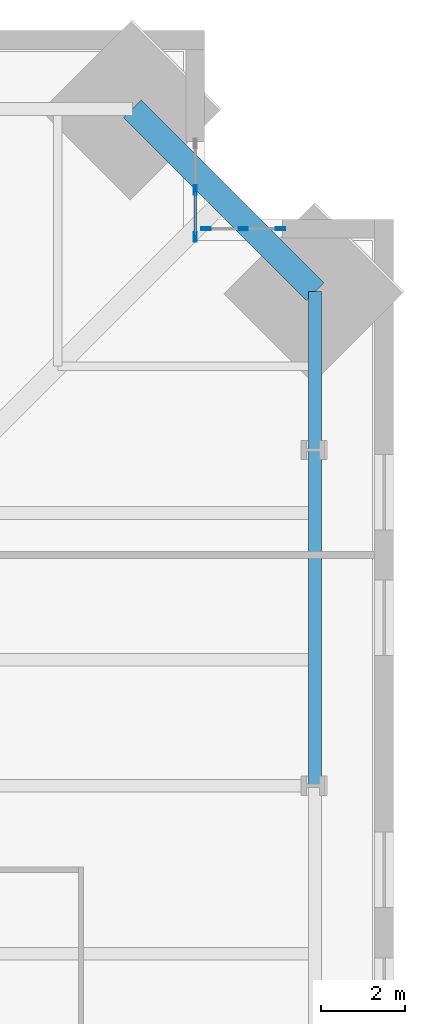
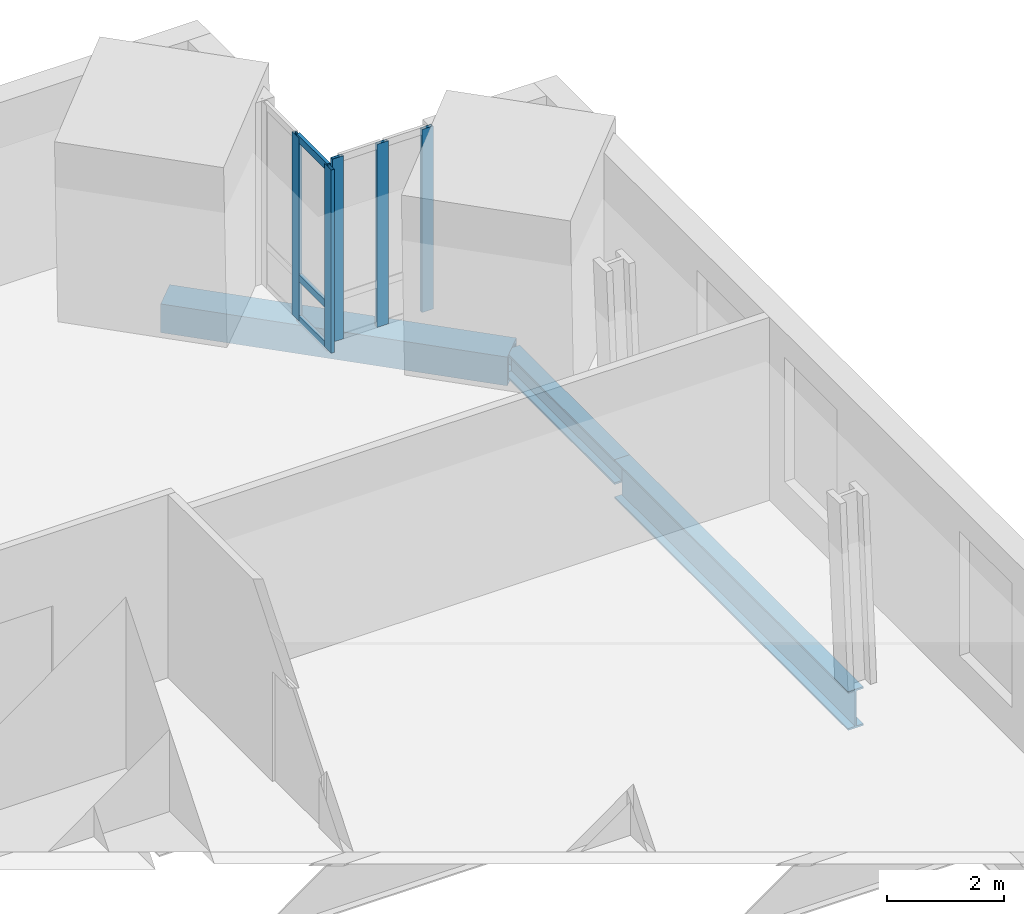
# One storey, part 10 of 18: 8 members, 3 beams, 2 elements without a shape of their own.
"""IFC4 building model written with IfcOpenShell, lengths in metres."""

from ifc_helpers import new_model, si_unit, direction, frame, origin, origin_2d, place, context, subcontext, project, spatial, hollow_rectangle, i_section, extrude, material, material_profile, profile_set, type_object, element, aggregate, save


model = new_model("IFC4")

# Units and contexts
model_context = context("Model", 3, precision=1e-05, world=origin(), true_north=direction((0.0, 1.0)))
body_context = subcontext(model_context, "Body", "Model", "MODEL_VIEW")
ifc_project = project(units=[si_unit("LENGTHUNIT", "METRE"), si_unit("AREAUNIT", "SQUARE_METRE"), si_unit("VOLUMEUNIT", "CUBIC_METRE"), si_unit("PLANEANGLEUNIT", "RADIAN"), si_unit("MASSUNIT", "GRAM", prefix="KILO")], contexts=[model_context])

# Site, building, storey
site_placement = place(None, origin())
site = spatial("IfcSite", under=ifc_project, at=site_placement, CompositionType="ELEMENT")
building_placement = place(site_placement, origin())
building = spatial("IfcBuilding", under=site, at=building_placement, Name="Peilmerk Tower", CompositionType="ELEMENT")
storey_placement = place(building_placement, frame((0.0, 0.0, 167.800048828125)))
storey = spatial("IfcBuildingStorey", under=building, at=storey_placement, Name="L35", CompositionType="ELEMENT", Elevation=167.800048828125)

# Beams
ifc_material_1 = material(Name="Steel S355", Category="steel")
ifc_material_profile_1 = material_profile(ifc_material_1, i_section(OverallWidth=0.302978515625, OverallDepth=0.81396484375, WebThickness=0.02099609375, FlangeThickness=0.0400390625, at=origin_2d()), Name="HEM 800")
ifc_profile_set_1 = profile_set([ifc_material_profile_1], Name="Steel S355")
beam_type_1 = type_object("IfcBeamType", Name="B15 HEM 800 edge beam", PredefinedType="SPANDREL", material=ifc_profile_set_1)
beam_1_placement = place(storey_placement, frame((24.130615234375, 8.0, -0.5771484375), z_axis=(0.0, 1.0, 0.0), x_axis=(-1.0, 0.0, 0.0)))
element("IfcBeam", 1, at=beam_1_placement, inside=storey, type_object=beam_type_1, Name="Edge beam L35", PredefinedType="SPANDREL", context=body_context, shape_type="SweptSolid", body=[
    extrude(i_section(OverallWidth=0.302978515625, OverallDepth=0.81396484375, WebThickness=0.02099609375, FlangeThickness=0.0400390625, at=origin_2d()), origin(), (0.0, 0.0, 1.0), 8.0),
])
ifc_material_2 = material(Name="Steel S460", Category="steel")
ifc_material_profile_2 = material_profile(ifc_material_2, hollow_rectangle(XDim=0.60009765625, YDim=0.60009765625, WallThickness=0.06005859375, at=origin_2d()), Name="BOX 600x600x60")
ifc_profile_set_2 = profile_set([ifc_material_profile_2], Name="Steel S460")
beam_type_2 = type_object("IfcBeamType", Name="B20 BOX 600x600x60 notch beam", PredefinedType="SPANDREL", material=ifc_profile_set_2)
beam_2_placement = place(storey_placement, frame((19.78076171875, 24.130615234375, -0.469970703125), z_axis=(0.707106781187, -0.707106781187, 0.0), x_axis=(0.707106781187, 0.707106781187, 0.0)))
element("IfcBeam", 2, at=beam_2_placement, inside=storey, type_object=beam_type_2, Name="Notch beam L35", PredefinedType="SPANDREL", context=body_context, shape_type="SweptSolid", body=[
    extrude(hollow_rectangle(XDim=0.60009765625, YDim=0.60009765625, WallThickness=0.06005859375, at=origin_2d()), origin(), (0.0, 0.0, 1.0), 6.151611328125),
])
ifc_material_profile_3 = material_profile(ifc_material_1, i_section(OverallWidth=0.305908203125, OverallDepth=0.52392578125, WebThickness=0.02099609375, FlangeThickness=0.0400390625, at=origin_2d()), Name="HEM 500")
ifc_profile_set_3 = profile_set([ifc_material_profile_3], Name="Steel S355")
beam_type_3 = type_object("IfcBeamType", Name="B33 HEM 500 edge beam", PredefinedType="SPANDREL", material=ifc_profile_set_3)
beam_3_placement = place(storey_placement, frame((24.130615234375, 16.0, -0.43212890625), z_axis=(0.0, 1.0, 0.0), x_axis=(-1.0, 0.0, 0.0)))
element("IfcBeam", 3, at=beam_3_placement, inside=storey, type_object=beam_type_3, Name="Edge beam L35", PredefinedType="SPANDREL", context=body_context, shape_type="SweptSolid", body=[
    extrude(i_section(OverallWidth=0.305908203125, OverallDepth=0.52392578125, WebThickness=0.02099609375, FlangeThickness=0.0400390625, at=origin_2d()), origin(), (0.0, 0.0, 1.0), 3.78076171875),
])

# Curtain wall, members
ifc_material_3 = material(Name="Aluminium stick curtain wall", Category="aluminium")
curtain_wall_type = type_object("IfcCurtainWallType", Name="CW3 stick curtain wall, 2250 module", PredefinedType="NOTDEFINED", material=ifc_material_3)
curtain_wall_1_placement = place(storey_placement, origin())
curtain_wall_1 = element("IfcCurtainWall", 4, at=curtain_wall_1_placement, inside=storey, type_object=curtain_wall_type, Name="Curtain wall CW3 NEA L35", PredefinedType="NOTDEFINED")
ifc_material_4 = material(Name="Aluminium EN AW-6063 T6", Category="aluminium")
ifc_material_profile_4 = material_profile(ifc_material_4, hollow_rectangle(XDim=0.06494140625, YDim=0.22509765625, WallThickness=0.00390625, at=origin_2d()), Name="AL 225x65x4")
ifc_profile_set_4 = profile_set([ifc_material_profile_4], Name="Aluminium EN AW-6063 T6")
member_type_1 = type_object("IfcMemberType", Name="CW3-M AL 225x65x4 mullion", PredefinedType="MULLION", material=ifc_profile_set_4)
member_1_placement = place(storey_placement, frame((21.27490234375, 21.08251953125, 0.0), z_axis=(0.0, 0.0, 1.0), x_axis=(-1.0, 0.0, 0.0)))
member_1 = element("IfcMember", 5, at=member_1_placement, type_object=member_type_1, Name="CW3 mullion 1", PredefinedType="MULLION", context=body_context, shape_type="SweptSolid", body=[
    extrude(hollow_rectangle(XDim=0.06494140625, YDim=0.22509765625, WallThickness=0.00390625, at=origin_2d()), origin(), (0.0, 0.0, 1.0), 3.829833984375),
])
member_2_placement = place(storey_placement, frame((21.27490234375, 22.1943359375, 0.0), z_axis=(0.0, 0.0, 1.0), x_axis=(-1.0, 0.0, 0.0)))
member_2 = element("IfcMember", 6, at=member_2_placement, type_object=member_type_1, Name="CW3 mullion 2", PredefinedType="MULLION", context=body_context, shape_type="SweptSolid", body=[
    extrude(hollow_rectangle(XDim=0.06494140625, YDim=0.22509765625, WallThickness=0.00390625, at=origin_2d()), origin(), (0.0, 0.0, 1.0), 3.829833984375),
])

curtain_wall_2_placement = place(storey_placement, origin())
curtain_wall_2 = element("IfcCurtainWall", 7, at=curtain_wall_2_placement, inside=storey, type_object=curtain_wall_type, Name="Curtain wall CW3 NEB L35", PredefinedType="NOTDEFINED")
member_3_placement = place(storey_placement, frame((21.532470703125, 21.27490234375, 0.0), z_axis=(0.0, 0.0, 1.0), x_axis=(0.0, 1.0, 0.0)))
member_3 = element("IfcMember", 8, at=member_3_placement, type_object=member_type_1, Name="CW3 mullion 1", PredefinedType="MULLION", context=body_context, shape_type="SweptSolid", body=[
    extrude(hollow_rectangle(XDim=0.06494140625, YDim=0.22509765625, WallThickness=0.00390625, at=origin_2d()), origin(), (0.0, 0.0, 1.0), 3.829833984375),
])
member_4_placement = place(storey_placement, frame((22.41943359375, 21.27490234375, 0.0), z_axis=(0.0, 0.0, 1.0), x_axis=(0.0, 1.0, 0.0)))
member_4 = element("IfcMember", 9, at=member_4_placement, type_object=member_type_1, Name="CW3 mullion 2", PredefinedType="MULLION", context=body_context, shape_type="SweptSolid", body=[
    extrude(hollow_rectangle(XDim=0.06494140625, YDim=0.22509765625, WallThickness=0.00390625, at=origin_2d()), origin(), (0.0, 0.0, 1.0), 3.829833984375),
])
member_5_placement = place(storey_placement, frame((23.30615234375, 21.27490234375, 0.0), z_axis=(0.0, 0.0, 1.0), x_axis=(0.0, 1.0, 0.0)))
member_5 = element("IfcMember", 10, at=member_5_placement, type_object=member_type_1, Name="CW3 mullion 3", PredefinedType="MULLION", context=body_context, shape_type="SweptSolid", body=[
    extrude(hollow_rectangle(XDim=0.06494140625, YDim=0.22509765625, WallThickness=0.00390625, at=origin_2d()), origin(), (0.0, 0.0, 1.0), 3.829833984375),
])
aggregate(curtain_wall_2, [member_3, member_4, member_5])

# Member
ifc_material_profile_5 = material_profile(ifc_material_4, hollow_rectangle(XDim=0.06494140625, YDim=0.14990234375, WallThickness=0.0029296875, at=origin_2d()), Name="AL 150x65x3")
ifc_profile_set_5 = profile_set([ifc_material_profile_5], Name="Aluminium EN AW-6063 T6")
member_type_2 = type_object("IfcMemberType", Name="CW3-T AL 150x65x3 transom", PredefinedType="USERDEFINED", material=ifc_profile_set_5)
member_6_placement = place(storey_placement, frame((21.27490234375, 21.114990234375, 0.032470703125), z_axis=(0.0, 1.0, 0.0), x_axis=(-1.0, 0.0, 0.0)))
member_6 = element("IfcMember", 11, at=member_6_placement, type_object=member_type_2, Name="CW3 transom 1.1", ObjectType="TRANSOM", PredefinedType="USERDEFINED", context=body_context, shape_type="SweptSolid", body=[
    extrude(hollow_rectangle(XDim=0.06494140625, YDim=0.14990234375, WallThickness=0.0029296875, at=origin_2d()), origin(), (0.0, 0.0, 1.0), 1.046875),
])

member_7_placement = place(storey_placement, frame((21.27490234375, 21.114990234375, 0.89990234375), z_axis=(0.0, 1.0, 0.0), x_axis=(-1.0, 0.0, 0.0)))
member_7 = element("IfcMember", 12, at=member_7_placement, type_object=member_type_2, Name="CW3 transom 1.2", ObjectType="TRANSOM", PredefinedType="USERDEFINED", context=body_context, shape_type="SweptSolid", body=[
    extrude(hollow_rectangle(XDim=0.06494140625, YDim=0.14990234375, WallThickness=0.0029296875, at=origin_2d()), origin(), (0.0, 0.0, 1.0), 1.046875),
])

member_8_placement = place(storey_placement, frame((21.27490234375, 21.114990234375, 3.79736328125), z_axis=(0.0, 1.0, 0.0), x_axis=(-1.0, 0.0, 0.0)))
member_8 = element("IfcMember", 13, at=member_8_placement, type_object=member_type_2, Name="CW3 transom 1.3", ObjectType="TRANSOM", PredefinedType="USERDEFINED", context=body_context, shape_type="SweptSolid", body=[
    extrude(hollow_rectangle(XDim=0.06494140625, YDim=0.14990234375, WallThickness=0.0029296875, at=origin_2d()), origin(), (0.0, 0.0, 1.0), 1.046875),
])

aggregate(curtain_wall_1, [member_1, member_2, member_6, member_7, member_8])

save(model, "model.ifc")
